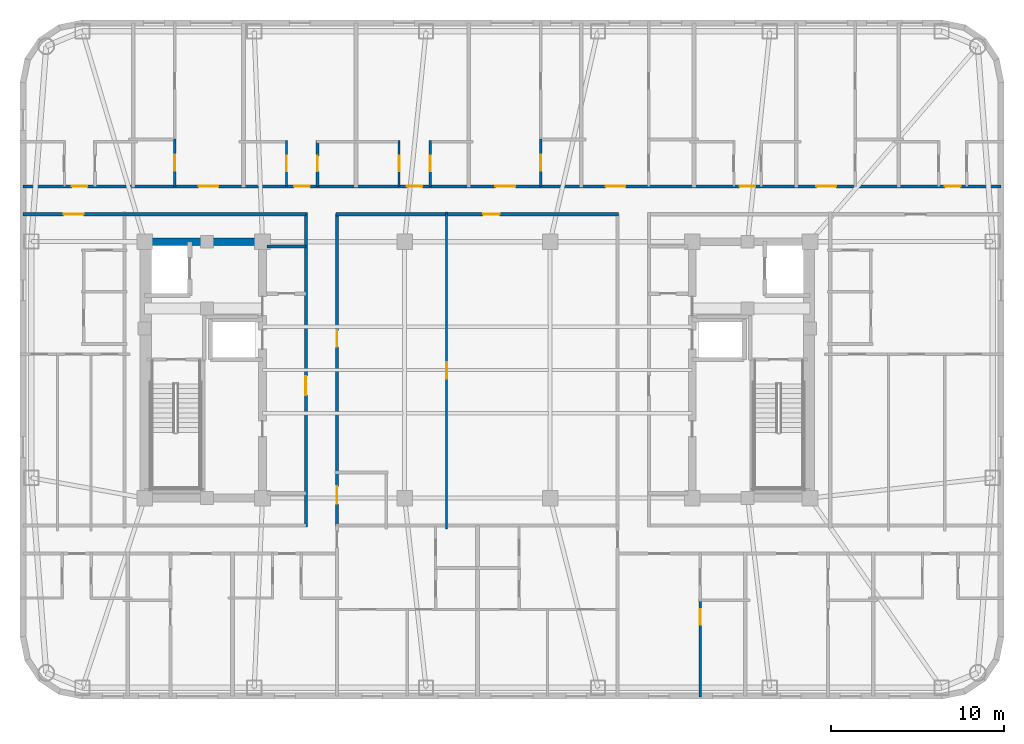
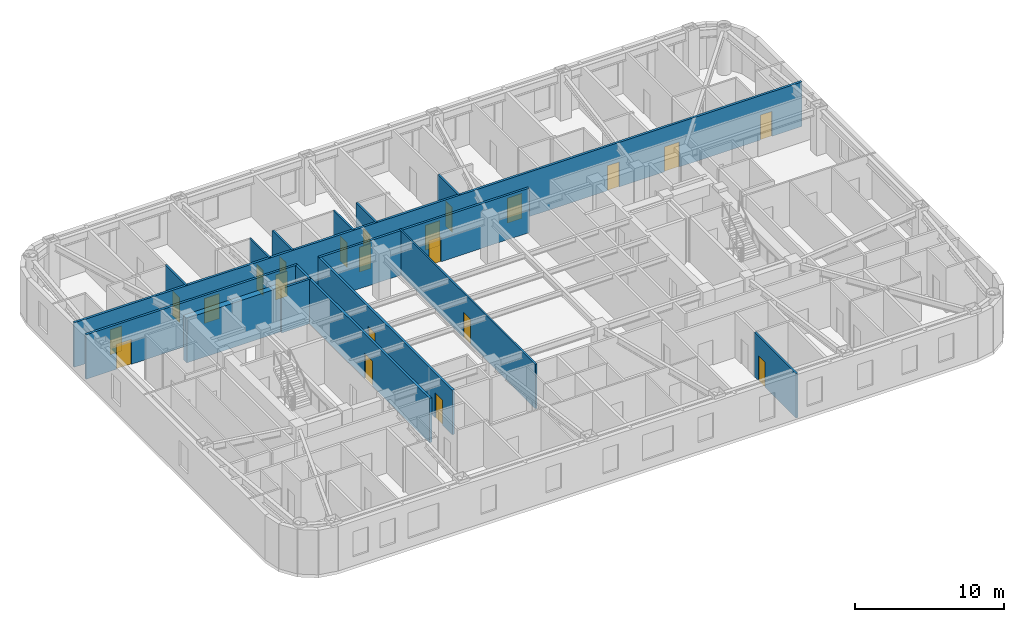
# One storey, part 5 of 11: 22 doors, 15 walls, 22 openings.
"""IFC4 building model written with IfcOpenShell, lengths in metres."""

from ifc_helpers import new_model, si_unit, direction, frame, frame_2d, origin, place, context, subcontext, project, spatial, rectangle, extrude, material, layer, layer_set, type_object, element, fill, save


model = new_model("IFC4")

# Units and contexts
model_context = context("Model", 3, precision=1e-05, world=origin(), true_north=direction((0.0, 1.0)))
body_context = subcontext(model_context, "Body", "Model", "MODEL_VIEW")
ifc_project = project(units=[si_unit("LENGTHUNIT", "METRE"), si_unit("AREAUNIT", "SQUARE_METRE"), si_unit("VOLUMEUNIT", "CUBIC_METRE"), si_unit("PLANEANGLEUNIT", "RADIAN"), si_unit("MASSUNIT", "GRAM", prefix="KILO")], contexts=[model_context])

# Site, building, storey
site_placement = place(None, origin())
site = spatial("IfcSite", under=ifc_project, at=site_placement, CompositionType="ELEMENT")
building_placement = place(site_placement, origin())
building = spatial("IfcBuilding", under=site, at=building_placement, Name="Voryun Gate Residences", CompositionType="ELEMENT")
storey_placement = place(building_placement, frame((0.0, 0.0, 247.0)))
storey = spatial("IfcBuildingStorey", under=building, at=storey_placement, Name="L61", CompositionType="ELEMENT", Elevation=247.0)

# Walls
ifc_material_1 = material(Name="Concrete C50/60", Category="concrete")
ifc_layer_1 = layer(ifc_material_1, 0.449951171875, Name="CW_CORE_450")
ifc_layer_set_1 = layer_set([ifc_layer_1], Name="Concrete C50/60")
wall_type_1 = type_object("IfcWallType", Name="CW_CORE_450", PredefinedType="SHEAR", material=ifc_layer_set_1)
wall_1_placement = place(storey_placement, frame((-19.425048828125, 7.39990234375, 0.0), z_axis=(0.0, 0.0, 1.0), x_axis=(1.0, 0.0, 0.0)))
element("IfcWall", 1, at=wall_1_placement, inside=storey, type_object=wall_type_1, Name="L61 Core shear wall CW-L61-WN", PredefinedType="SHEAR", context=body_context, shape_type="SweptSolid", body=[
    extrude(rectangle(XDim=7.25, YDim=0.449951171875, at=frame_2d((3.625, 0.0))), origin(), (0.0, 0.0, 1.0), 3.64990234375),
])
ifc_material_2 = material(Name="Gypsum acoustic fireboard")
ifc_layer_2 = layer(ifc_material_2, 0.179931640625, Name="W_CORR_RATED_180")
ifc_layer_set_2 = layer_set([ifc_layer_2], Name="Gypsum acoustic fireboard")
wall_type_2 = type_object("IfcWallType", Name="W_CORR_RATED_180", PredefinedType="PARTITIONING", material=ifc_layer_set_2)
wall_2_placement = place(storey_placement, frame((-12.14990234375, 7.1201171875, 0.0), z_axis=(0.0, 0.0, 1.0), x_axis=(1.0, 0.0, 0.0)))
element("IfcWall", 2, at=wall_2_placement, inside=storey, type_object=wall_type_2, Name="Partition wall WP-L61-PLBN-W", PredefinedType="PARTITIONING", context=body_context, shape_type="SweptSolid", body=[
    extrude(rectangle(XDim=2.27001953125, YDim=0.179931640625, at=frame_2d((1.135009765625, 0.0))), origin(), (0.0, 0.0, 1.0), 3.64990234375),
])

# Wall, opening, door
wall_3_placement = place(storey_placement, frame((-9.89990234375, -9.080078125, 0.0), z_axis=(0.0, 0.0, 1.0), x_axis=(0.0, 1.0, 0.0)))
wall_3 = element("IfcWall", 3, at=wall_3_placement, inside=storey, type_object=wall_type_2, Name="Partition wall WP-L61-PLBW-FULL", PredefinedType="PARTITIONING", context=body_context, shape_type="SweptSolid", body=[
    extrude(rectangle(XDim=18.16015625, YDim=0.179931640625, at=frame_2d((9.080078125, 0.0))), origin(), (0.0, 0.0, 1.0), 3.64990234375),
])
opening_1_placement = place(wall_3_placement, frame((7.6220703125, 0.0, 0.0)))
opening_1 = element("IfcOpeningElement", 4, at=opening_1_placement, cuts=wall_3, Name="Opening D-FD60-2", PredefinedType="OPENING", context=body_context, shape_type="SweptSolid", body=[
    extrude(rectangle(XDim=1.10009765625, YDim=2.050048828125, at=frame_2d((0.550048828125, 1.02490234375))), frame((0.0, 0.099853515625, 0.0), z_axis=(0.0, -1.0, 0.0), x_axis=(1.0, 0.0, 0.0)), (0.0, 0.0, 1.0), 0.199951171875),
])
ifc_material_3 = material(Name="Painted steel fire door", Category="steel")
door_type_1 = type_object("IfcDoorType", Name="DR_FD60_FFLOB_1100", OperationType="NOTDEFINED", PredefinedType="DOOR", material=ifc_material_3)
door_1_placement = place(opening_1_placement, origin())
door_1 = element("IfcDoor", 5, at=door_1_placement, inside=storey, type_object=door_type_1, Name="Door DR-L61-PLBW-COR", OperationType="SINGLE_SWING_LEFT", OverallHeight=2.050048828125, OverallWidth=1.10009765625, PredefinedType="DOOR", context=body_context, shape_type="SweptSolid", body=[
    extrude(rectangle(XDim=1.10009765625, YDim=2.050048828125, at=frame_2d((0.550048828125, 1.02490234375))), frame((0.0, 0.02490234375, 0.0), z_axis=(0.0, -1.0, 0.0), x_axis=(1.0, 0.0, 0.0)), (0.0, 0.0, 1.0), 0.050048828125),
])
fill(opening_1, door_1)

wall_4_placement = place(storey_placement, frame((-26.22998046875, 8.989990234375, 0.0), z_axis=(0.0, 0.0, 1.0), x_axis=(1.0, 0.0, 0.0)))
wall_4 = element("IfcWall", 6, at=wall_4_placement, inside=storey, type_object=wall_type_2, Name="Partition wall WP-L61-CWING-WN", PredefinedType="PARTITIONING", context=body_context, shape_type="SweptSolid", body=[
    extrude(rectangle(XDim=16.35009765625, YDim=0.179931640625, at=frame_2d((8.175048828125, 0.0))), origin(), (0.0, 0.0, 1.0), 3.64990234375),
])
opening_2_placement = place(wall_4_placement, frame((2.35009765625, 0.0, 0.0)))
opening_2 = element("IfcOpeningElement", 7, at=opening_2_placement, cuts=wall_4, Name="Opening D-UNIT-1", PredefinedType="OPENING", context=body_context, shape_type="SweptSolid", body=[
    extrude(rectangle(XDim=1.14990234375, YDim=2.050048828125, at=frame_2d((0.574951171875, 1.02490234375))), frame((0.0, 0.099853515625, 0.0), z_axis=(0.0, -1.0, 0.0), x_axis=(1.0, 0.0, 0.0)), (0.0, 0.0, 1.0), 0.199951171875),
])
ifc_material_4 = material(Name="Armoured timber-clad fire door", Category="wood")
door_type_2 = type_object("IfcDoorType", Name="DR_UNIT_ENTRY_1150", OperationType="NOTDEFINED", PredefinedType="DOOR", material=ifc_material_4)
door_2_placement = place(opening_2_placement, origin())
door_2 = element("IfcDoor", 8, at=door_2_placement, inside=storey, type_object=door_type_2, Name="Door DR-L61-WE1N", OperationType="SINGLE_SWING_LEFT", OverallHeight=2.050048828125, OverallWidth=1.14990234375, PredefinedType="DOOR", context=body_context, shape_type="SweptSolid", body=[
    extrude(rectangle(XDim=1.14990234375, YDim=2.050048828125, at=frame_2d((0.574951171875, 1.02490234375))), frame((0.0, 0.02490234375, 0.0), z_axis=(0.0, -1.0, 0.0), x_axis=(1.0, 0.0, 0.0)), (0.0, 0.0, 1.0), 0.050048828125),
])
fill(opening_2, door_2)

wall_5_placement = place(storey_placement, frame((-8.14990234375, 8.989990234375, 0.0), z_axis=(0.0, 0.0, 1.0), x_axis=(1.0, 0.0, 0.0)))
wall_5 = element("IfcWall", 9, at=wall_5_placement, inside=storey, type_object=wall_type_2, Name="Partition wall WP-L61-Z3N", PredefinedType="PARTITIONING", context=body_context, shape_type="SweptSolid", body=[
    extrude(rectangle(XDim=16.2998046875, YDim=0.179931640625, at=frame_2d((8.14990234375, 0.0))), origin(), (0.0, 0.0, 1.0), 3.64990234375),
])
opening_3_placement = place(wall_5_placement, frame((8.489990234375, 0.0, 0.0)))
opening_3 = element("IfcOpeningElement", 10, at=opening_3_placement, cuts=wall_5, Name="Opening D-INT-1", PredefinedType="OPENING", context=body_context, shape_type="SweptSolid", body=[
    extrude(rectangle(XDim=0.949951171875, YDim=2.050048828125, at=frame_2d((0.47509765625, 1.02490234375))), frame((0.0, 0.099853515625, 0.0), z_axis=(0.0, -1.0, 0.0), x_axis=(1.0, 0.0, 0.0)), (0.0, 0.0, 1.0), 0.199951171875),
])
ifc_material_5 = material(Name="Architectural oak veneer")
door_type_3 = type_object("IfcDoorType", Name="DR_INT_ROOM_950", OperationType="NOTDEFINED", PredefinedType="DOOR", material=ifc_material_5)
door_3_placement = place(opening_3_placement, origin())
door_3 = element("IfcDoor", 11, at=door_3_placement, inside=storey, type_object=door_type_3, Name="Door DR-L61-CMIDZ3N", OperationType="SINGLE_SWING_LEFT", OverallHeight=2.050048828125, OverallWidth=0.949951171875, PredefinedType="DOOR", context=body_context, shape_type="SweptSolid", body=[
    extrude(rectangle(XDim=0.949951171875, YDim=2.050048828125, at=frame_2d((0.47509765625, 1.02490234375))), frame((0.0, 0.02490234375, 0.0), z_axis=(0.0, -1.0, 0.0), x_axis=(1.0, 0.0, 0.0)), (0.0, 0.0, 1.0), 0.050048828125),
])
fill(opening_3, door_3)

# Wall, openings, doors
wall_6_placement = place(storey_placement, frame((-8.10009765625, -9.030029296875, 0.0), z_axis=(0.0, 0.0, 1.0), x_axis=(0.0, 1.0, 0.0)))
wall_6 = element("IfcWall", 12, at=wall_6_placement, inside=storey, type_object=wall_type_2, Name="Partition wall WP-L61-Z3W", PredefinedType="PARTITIONING", context=body_context, shape_type="SweptSolid", body=[
    extrude(rectangle(XDim=18.06005859375, YDim=0.179931640625, at=frame_2d((9.030029296875, 0.0))), origin(), (0.0, 0.0, 1.0), 3.64990234375),
])
opening_4_placement = place(wall_6_placement, frame((1.305908203125, 0.0, 0.0)))
opening_4 = element("IfcOpeningElement", 13, at=opening_4_placement, cuts=wall_6, Name="Opening D-AWC-1", PredefinedType="OPENING", context=body_context, shape_type="SweptSolid", body=[
    extrude(rectangle(XDim=1.0, YDim=2.050048828125, at=frame_2d((0.5, 1.02490234375))), frame((0.0, 0.099853515625, 0.0), z_axis=(0.0, -1.0, 0.0), x_axis=(1.0, 0.0, 0.0)), (0.0, 0.0, 1.0), 0.199951171875),
])
opening_5_placement = place(wall_6_placement, frame((10.361083984375, 0.0, 0.0)))
opening_5 = element("IfcOpeningElement", 14, at=opening_5_placement, cuts=wall_6, Name="Opening D-INT-1", PredefinedType="OPENING", context=body_context, shape_type="SweptSolid", body=[
    extrude(rectangle(XDim=0.949951171875, YDim=2.050048828125, at=frame_2d((0.47509765625, 1.02490234375))), frame((0.0, 0.099853515625, 0.0), z_axis=(0.0, -1.0, 0.0), x_axis=(1.0, 0.0, 0.0)), (0.0, 0.0, 1.0), 0.199951171875),
])
ifc_material_6 = material(Name="Architectural oak veneer")
door_type_4 = type_object("IfcDoorType", Name="DR_ACC_WC_1000", OperationType="NOTDEFINED", PredefinedType="DOOR", material=ifc_material_6)
door_4_placement = place(opening_4_placement, origin())
door_4 = element("IfcDoor", 15, at=door_4_placement, inside=storey, type_object=door_type_4, Name="Door DR-L61-CMWC-D", OperationType="SINGLE_SWING_LEFT", OverallHeight=2.050048828125, OverallWidth=1.0, PredefinedType="DOOR", context=body_context, shape_type="SweptSolid", body=[
    extrude(rectangle(XDim=1.0, YDim=2.050048828125, at=frame_2d((0.5, 1.02490234375))), frame((0.0, 0.02490234375, 0.0), z_axis=(0.0, -1.0, 0.0), x_axis=(1.0, 0.0, 0.0)), (0.0, 0.0, 1.0), 0.050048828125),
])
fill(opening_4, door_4)
door_5_placement = place(opening_5_placement, origin())
door_5 = element("IfcDoor", 16, at=door_5_placement, inside=storey, type_object=door_type_3, Name="Door DR-L61-CMIDZ3W", OperationType="SINGLE_SWING_RIGHT", OverallHeight=2.050048828125, OverallWidth=0.949951171875, PredefinedType="DOOR", context=body_context, shape_type="SweptSolid", body=[
    extrude(rectangle(XDim=0.949951171875, YDim=2.050048828125, at=frame_2d((0.47509765625, 1.02490234375))), frame((0.0, 0.02490234375, 0.0), z_axis=(0.0, -1.0, 0.0), x_axis=(1.0, 0.0, 0.0)), (0.0, 0.0, 1.0), 0.050048828125),
])
fill(opening_5, door_5)

wall_7_placement = place(storey_placement, frame((-26.22998046875, 10.60009765625, 0.0), z_axis=(0.0, 0.0, 1.0), x_axis=(1.0, 0.0, 0.0)))
wall_7 = element("IfcWall", 17, at=wall_7_placement, inside=storey, type_object=wall_type_2, Name="Partition wall WP-L61-NCORR", PredefinedType="PARTITIONING", context=body_context, shape_type="SweptSolid", body=[
    extrude(rectangle(XDim=56.4599609375, YDim=0.179931640625, at=frame_2d((28.22998046875, 0.0))), origin(), (0.0, 0.0, 1.0), 3.64990234375),
])
opening_6_placement = place(wall_7_placement, frame((2.82470703125, 0.0, 0.0)))
opening_6 = element("IfcOpeningElement", 18, at=opening_6_placement, cuts=wall_7, Name="Opening D-INT-2", PredefinedType="OPENING", context=body_context, shape_type="SweptSolid", body=[
    extrude(rectangle(XDim=0.89990234375, YDim=2.050048828125, at=frame_2d((0.449951171875, 1.02490234375))), frame((0.0, 0.099853515625, 0.0), z_axis=(0.0, -1.0, 0.0), x_axis=(1.0, 0.0, 0.0)), (0.0, 0.0, 1.0), 0.199951171875),
])
opening_7_placement = place(wall_7_placement, frame((10.135498046875, 0.0, 0.0)))
opening_7 = element("IfcOpeningElement", 19, at=opening_7_placement, cuts=wall_7, Name="Opening D-UNIT-1", PredefinedType="OPENING", context=body_context, shape_type="SweptSolid", body=[
    extrude(rectangle(XDim=1.14990234375, YDim=2.050048828125, at=frame_2d((0.574951171875, 1.02490234375))), frame((0.0, 0.099853515625, 0.0), z_axis=(0.0, -1.0, 0.0), x_axis=(1.0, 0.0, 0.0)), (0.0, 0.0, 1.0), 0.199951171875),
])
opening_8_placement = place(wall_7_placement, frame((15.657958984375, 0.0, 0.0)))
opening_8 = element("IfcOpeningElement", 20, at=opening_8_placement, cuts=wall_7, Name="Opening D-INT-2", PredefinedType="OPENING", context=body_context, shape_type="SweptSolid", body=[
    extrude(rectangle(XDim=0.89990234375, YDim=2.050048828125, at=frame_2d((0.449951171875, 1.02490234375))), frame((0.0, 0.099853515625, 0.0), z_axis=(0.0, -1.0, 0.0), x_axis=(1.0, 0.0, 0.0)), (0.0, 0.0, 1.0), 0.199951171875),
])
opening_9_placement = place(wall_7_placement, frame((22.156494140625, 0.0, 0.0)))
opening_9 = element("IfcOpeningElement", 21, at=opening_9_placement, cuts=wall_7, Name="Opening D-INT-2", PredefinedType="OPENING", context=body_context, shape_type="SweptSolid", body=[
    extrude(rectangle(XDim=0.89990234375, YDim=2.050048828125, at=frame_2d((0.449951171875, 1.02490234375))), frame((0.0, 0.099853515625, 0.0), z_axis=(0.0, -1.0, 0.0), x_axis=(1.0, 0.0, 0.0)), (0.0, 0.0, 1.0), 0.199951171875),
])
opening_10_placement = place(wall_7_placement, frame((27.27099609375, 0.0, 0.0)))
opening_10 = element("IfcOpeningElement", 22, at=opening_10_placement, cuts=wall_7, Name="Opening D-UNIT-1", PredefinedType="OPENING", context=body_context, shape_type="SweptSolid", body=[
    extrude(rectangle(XDim=1.14990234375, YDim=2.050048828125, at=frame_2d((0.574951171875, 1.02490234375))), frame((0.0, 0.099853515625, 0.0), z_axis=(0.0, -1.0, 0.0), x_axis=(1.0, 0.0, 0.0)), (0.0, 0.0, 1.0), 0.199951171875),
])
opening_11_placement = place(wall_7_placement, frame((33.62841796875, 0.0, 0.0)))
opening_11 = element("IfcOpeningElement", 23, at=opening_11_placement, cuts=wall_7, Name="Opening D-UNIT-1", PredefinedType="OPENING", context=body_context, shape_type="SweptSolid", body=[
    extrude(rectangle(XDim=1.14990234375, YDim=2.050048828125, at=frame_2d((0.574951171875, 1.02490234375))), frame((0.0, 0.099853515625, 0.0), z_axis=(0.0, -1.0, 0.0), x_axis=(1.0, 0.0, 0.0)), (0.0, 0.0, 1.0), 0.199951171875),
])
opening_12_placement = place(wall_7_placement, frame((41.37548828125, 0.0, 0.0)))
opening_12 = element("IfcOpeningElement", 24, at=opening_12_placement, cuts=wall_7, Name="Opening D-INT-2", PredefinedType="OPENING", context=body_context, shape_type="SweptSolid", body=[
    extrude(rectangle(XDim=0.89990234375, YDim=2.050048828125, at=frame_2d((0.449951171875, 1.02490234375))), frame((0.0, 0.099853515625, 0.0), z_axis=(0.0, -1.0, 0.0), x_axis=(1.0, 0.0, 0.0)), (0.0, 0.0, 1.0), 0.199951171875),
])
opening_13_placement = place(wall_7_placement, frame((45.795654296875, 0.0, 0.0)))
opening_13 = element("IfcOpeningElement", 25, at=opening_13_placement, cuts=wall_7, Name="Opening D-UNIT-1", PredefinedType="OPENING", context=body_context, shape_type="SweptSolid", body=[
    extrude(rectangle(XDim=1.14990234375, YDim=2.050048828125, at=frame_2d((0.574951171875, 1.02490234375))), frame((0.0, 0.099853515625, 0.0), z_axis=(0.0, -1.0, 0.0), x_axis=(1.0, 0.0, 0.0)), (0.0, 0.0, 1.0), 0.199951171875),
])
opening_14_placement = place(wall_7_placement, frame((53.220947265625, 0.0, 0.0)))
opening_14 = element("IfcOpeningElement", 26, at=opening_14_placement, cuts=wall_7, Name="Opening D-INT-2", PredefinedType="OPENING", context=body_context, shape_type="SweptSolid", body=[
    extrude(rectangle(XDim=0.89990234375, YDim=2.050048828125, at=frame_2d((0.449951171875, 1.02490234375))), frame((0.0, 0.099853515625, 0.0), z_axis=(0.0, -1.0, 0.0), x_axis=(1.0, 0.0, 0.0)), (0.0, 0.0, 1.0), 0.199951171875),
])
ifc_material_7 = material(Name="Architectural oak veneer")
door_type_5 = type_object("IfcDoorType", Name="DR_INT_BATH_900", OperationType="NOTDEFINED", PredefinedType="DOOR", material=ifc_material_7)
door_6_placement = place(opening_6_placement, origin())
door_6 = element("IfcDoor", 27, at=door_6_placement, inside=storey, type_object=door_type_5, Name="Door DR-L61-NENT-1", OperationType="SINGLE_SWING_LEFT", OverallHeight=2.050048828125, OverallWidth=0.89990234375, PredefinedType="DOOR", context=body_context, shape_type="SweptSolid", body=[
    extrude(rectangle(XDim=0.89990234375, YDim=2.050048828125, at=frame_2d((0.449951171875, 1.02490234375))), frame((0.0, 0.02490234375, 0.0), z_axis=(0.0, -1.0, 0.0), x_axis=(1.0, 0.0, 0.0)), (0.0, 0.0, 1.0), 0.050048828125),
])
fill(opening_6, door_6)
door_7_placement = place(opening_8_placement, origin())
door_7 = element("IfcDoor", 28, at=door_7_placement, inside=storey, type_object=door_type_5, Name="Door DR-L61-NENT-3", OperationType="SINGLE_SWING_LEFT", OverallHeight=2.050048828125, OverallWidth=0.89990234375, PredefinedType="DOOR", context=body_context, shape_type="SweptSolid", body=[
    extrude(rectangle(XDim=0.89990234375, YDim=2.050048828125, at=frame_2d((0.449951171875, 1.02490234375))), frame((0.0, 0.02490234375, 0.0), z_axis=(0.0, -1.0, 0.0), x_axis=(1.0, 0.0, 0.0)), (0.0, 0.0, 1.0), 0.050048828125),
])
fill(opening_8, door_7)
door_8_placement = place(opening_9_placement, origin())
door_8 = element("IfcDoor", 29, at=door_8_placement, inside=storey, type_object=door_type_5, Name="Door DR-L61-NENT-4", OperationType="SINGLE_SWING_RIGHT", OverallHeight=2.050048828125, OverallWidth=0.89990234375, PredefinedType="DOOR", context=body_context, shape_type="SweptSolid", body=[
    extrude(rectangle(XDim=0.89990234375, YDim=2.050048828125, at=frame_2d((0.449951171875, 1.02490234375))), frame((0.0, 0.02490234375, 0.0), z_axis=(0.0, -1.0, 0.0), x_axis=(1.0, 0.0, 0.0)), (0.0, 0.0, 1.0), 0.050048828125),
])
fill(opening_9, door_8)
door_9_placement = place(opening_12_placement, origin())
door_9 = element("IfcDoor", 30, at=door_9_placement, inside=storey, type_object=door_type_5, Name="Door DR-L61-NENT-7", OperationType="SINGLE_SWING_LEFT", OverallHeight=2.050048828125, OverallWidth=0.89990234375, PredefinedType="DOOR", context=body_context, shape_type="SweptSolid", body=[
    extrude(rectangle(XDim=0.89990234375, YDim=2.050048828125, at=frame_2d((0.449951171875, 1.02490234375))), frame((0.0, 0.02490234375, 0.0), z_axis=(0.0, -1.0, 0.0), x_axis=(1.0, 0.0, 0.0)), (0.0, 0.0, 1.0), 0.050048828125),
])
fill(opening_12, door_9)
door_10_placement = place(opening_14_placement, origin())
door_10 = element("IfcDoor", 31, at=door_10_placement, inside=storey, type_object=door_type_5, Name="Door DR-L61-NENT-9", OperationType="SINGLE_SWING_LEFT", OverallHeight=2.050048828125, OverallWidth=0.89990234375, PredefinedType="DOOR", context=body_context, shape_type="SweptSolid", body=[
    extrude(rectangle(XDim=0.89990234375, YDim=2.050048828125, at=frame_2d((0.449951171875, 1.02490234375))), frame((0.0, 0.02490234375, 0.0), z_axis=(0.0, -1.0, 0.0), x_axis=(1.0, 0.0, 0.0)), (0.0, 0.0, 1.0), 0.050048828125),
])
fill(opening_14, door_10)
door_11_placement = place(opening_7_placement, origin())
door_11 = element("IfcDoor", 32, at=door_11_placement, inside=storey, type_object=door_type_2, Name="Door DR-L61-NENT-2", OperationType="SINGLE_SWING_RIGHT", OverallHeight=2.050048828125, OverallWidth=1.14990234375, PredefinedType="DOOR", context=body_context, shape_type="SweptSolid", body=[
    extrude(rectangle(XDim=1.14990234375, YDim=2.050048828125, at=frame_2d((0.574951171875, 1.02490234375))), frame((0.0, 0.02490234375, 0.0), z_axis=(0.0, -1.0, 0.0), x_axis=(1.0, 0.0, 0.0)), (0.0, 0.0, 1.0), 0.050048828125),
])
fill(opening_7, door_11)
door_12_placement = place(opening_10_placement, origin())
door_12 = element("IfcDoor", 33, at=door_12_placement, inside=storey, type_object=door_type_2, Name="Door DR-L61-NENT-5", OperationType="SINGLE_SWING_LEFT", OverallHeight=2.050048828125, OverallWidth=1.14990234375, PredefinedType="DOOR", context=body_context, shape_type="SweptSolid", body=[
    extrude(rectangle(XDim=1.14990234375, YDim=2.050048828125, at=frame_2d((0.574951171875, 1.02490234375))), frame((0.0, 0.02490234375, 0.0), z_axis=(0.0, -1.0, 0.0), x_axis=(1.0, 0.0, 0.0)), (0.0, 0.0, 1.0), 0.050048828125),
])
fill(opening_10, door_12)
door_13_placement = place(opening_11_placement, origin())
door_13 = element("IfcDoor", 34, at=door_13_placement, inside=storey, type_object=door_type_2, Name="Door DR-L61-NENT-6", OperationType="SINGLE_SWING_RIGHT", OverallHeight=2.050048828125, OverallWidth=1.14990234375, PredefinedType="DOOR", context=body_context, shape_type="SweptSolid", body=[
    extrude(rectangle(XDim=1.14990234375, YDim=2.050048828125, at=frame_2d((0.574951171875, 1.02490234375))), frame((0.0, 0.02490234375, 0.0), z_axis=(0.0, -1.0, 0.0), x_axis=(1.0, 0.0, 0.0)), (0.0, 0.0, 1.0), 0.050048828125),
])
fill(opening_11, door_13)
door_14_placement = place(opening_13_placement, origin())
door_14 = element("IfcDoor", 35, at=door_14_placement, inside=storey, type_object=door_type_2, Name="Door DR-L61-NENT-8", OperationType="SINGLE_SWING_RIGHT", OverallHeight=2.050048828125, OverallWidth=1.14990234375, PredefinedType="DOOR", context=body_context, shape_type="SweptSolid", body=[
    extrude(rectangle(XDim=1.14990234375, YDim=2.050048828125, at=frame_2d((0.574951171875, 1.02490234375))), frame((0.0, 0.02490234375, 0.0), z_axis=(0.0, -1.0, 0.0), x_axis=(1.0, 0.0, 0.0)), (0.0, 0.0, 1.0), 0.050048828125),
])
fill(opening_13, door_14)

# Wall, opening, door
ifc_material_8 = material(Name="Gypsum acoustic partition")
ifc_layer_3 = layer(ifc_material_8, 0.125, Name="W_UNIT_PART_125")
ifc_layer_set_3 = layer_set([ifc_layer_3], Name="Gypsum acoustic partition")
wall_type_3 = type_object("IfcWallType", Name="W_UNIT_PART_125", PredefinedType="PARTITIONING", material=ifc_layer_set_3)
wall_8_placement = place(storey_placement, frame((-1.77294921875, -9.169921875, 0.0), z_axis=(0.0, 0.0, 1.0), x_axis=(0.0, 1.0, 0.0)))
wall_8 = element("IfcWall", 36, at=wall_8_placement, inside=storey, type_object=wall_type_3, Name="Partition wall WP-L61-MIDX-0", PredefinedType="PARTITIONING", context=body_context, shape_type="SweptSolid", body=[
    extrude(rectangle(XDim=18.2900390625, YDim=0.125, at=frame_2d((9.14501953125, 0.0))), origin(), (0.0, 0.0, 1.0), 3.64990234375),
])
opening_15_placement = place(wall_8_placement, frame((8.669921875, 0.0, 0.0)))
opening_15 = element("IfcOpeningElement", 37, at=opening_15_placement, cuts=wall_8, Name="Opening D-INT-1", PredefinedType="OPENING", context=body_context, shape_type="SweptSolid", body=[
    extrude(rectangle(XDim=0.949951171875, YDim=2.050048828125, at=frame_2d((0.47509765625, 1.02490234375))), frame((0.0, 0.072509765625, 0.0), z_axis=(0.0, -1.0, 0.0), x_axis=(1.0, 0.0, 0.0)), (0.0, 0.0, 1.0), 0.14501953125),
])
door_15_placement = place(opening_15_placement, origin())
door_15 = element("IfcDoor", 38, at=door_15_placement, inside=storey, type_object=door_type_3, Name="Door DR-L61-MIDX-0", OperationType="SINGLE_SWING_LEFT", OverallHeight=2.050048828125, OverallWidth=0.949951171875, PredefinedType="DOOR", context=body_context, shape_type="SweptSolid", body=[
    extrude(rectangle(XDim=0.949951171875, YDim=2.050048828125, at=frame_2d((0.47509765625, 1.02490234375))), frame((0.0, 0.02490234375, 0.0), z_axis=(0.0, -1.0, 0.0), x_axis=(1.0, 0.0, 0.0)), (0.0, 0.0, 1.0), 0.050048828125),
])
fill(opening_15, door_15)

wall_9_placement = place(storey_placement, frame((-11.01611328125, 10.580078125, 0.0), z_axis=(0.0, 0.0, 1.0), x_axis=(0.0, 1.0, 0.0)))
wall_9 = element("IfcWall", 39, at=wall_9_placement, inside=storey, type_object=wall_type_3, Name="Partition wall WP-L61-N3-CVK", PredefinedType="PARTITIONING", context=body_context, shape_type="SweptSolid", body=[
    extrude(rectangle(XDim=2.64990234375, YDim=0.125, at=frame_2d((1.324951171875, 0.0))), origin(), (0.0, 0.0, 1.0), 3.64990234375),
])
opening_16_placement = place(wall_9_placement, frame((0.875, 0.0, 0.0)))
opening_16 = element("IfcOpeningElement", 40, at=opening_16_placement, cuts=wall_9, Name="Opening D-INT-2", PredefinedType="OPENING", context=body_context, shape_type="SweptSolid", body=[
    extrude(rectangle(XDim=0.89990234375, YDim=2.050048828125, at=frame_2d((0.449951171875, 1.02490234375))), frame((0.0, 0.072509765625, 0.0), z_axis=(0.0, -1.0, 0.0), x_axis=(1.0, 0.0, 0.0)), (0.0, 0.0, 1.0), 0.14501953125),
])
door_16_placement = place(opening_16_placement, origin())
door_16 = element("IfcDoor", 41, at=door_16_placement, inside=storey, type_object=door_type_5, Name="Door DR-L61-N3-DK", OperationType="SINGLE_SWING_LEFT", OverallHeight=2.050048828125, OverallWidth=0.89990234375, PredefinedType="DOOR", context=body_context, shape_type="SweptSolid", body=[
    extrude(rectangle(XDim=0.89990234375, YDim=2.050048828125, at=frame_2d((0.449951171875, 1.02490234375))), frame((0.0, 0.02490234375, 0.0), z_axis=(0.0, -1.0, 0.0), x_axis=(1.0, 0.0, 0.0)), (0.0, 0.0, 1.0), 0.050048828125),
])
fill(opening_16, door_16)

wall_10_placement = place(storey_placement, frame((-4.51611328125, 10.580078125, 0.0), z_axis=(0.0, 0.0, 1.0), x_axis=(0.0, 1.0, 0.0)))
wall_10 = element("IfcWall", 42, at=wall_10_placement, inside=storey, type_object=wall_type_3, Name="Partition wall WP-L61-N4-CVK", PredefinedType="PARTITIONING", context=body_context, shape_type="SweptSolid", body=[
    extrude(rectangle(XDim=2.64990234375, YDim=0.125, at=frame_2d((1.324951171875, 0.0))), origin(), (0.0, 0.0, 1.0), 3.64990234375),
])
opening_17_placement = place(wall_10_placement, frame((0.875, 0.0, 0.0)))
opening_17 = element("IfcOpeningElement", 43, at=opening_17_placement, cuts=wall_10, Name="Opening D-INT-2", PredefinedType="OPENING", context=body_context, shape_type="SweptSolid", body=[
    extrude(rectangle(XDim=0.89990234375, YDim=2.050048828125, at=frame_2d((0.449951171875, 1.02490234375))), frame((0.0, 0.072509765625, 0.0), z_axis=(0.0, -1.0, 0.0), x_axis=(1.0, 0.0, 0.0)), (0.0, 0.0, 1.0), 0.14501953125),
])
door_17_placement = place(opening_17_placement, origin())
door_17 = element("IfcDoor", 44, at=door_17_placement, inside=storey, type_object=door_type_5, Name="Door DR-L61-N4-DK", OperationType="SINGLE_SWING_LEFT", OverallHeight=2.050048828125, OverallWidth=0.89990234375, PredefinedType="DOOR", context=body_context, shape_type="SweptSolid", body=[
    extrude(rectangle(XDim=0.89990234375, YDim=2.050048828125, at=frame_2d((0.449951171875, 1.02490234375))), frame((0.0, 0.02490234375, 0.0), z_axis=(0.0, -1.0, 0.0), x_axis=(1.0, 0.0, 0.0)), (0.0, 0.0, 1.0), 0.050048828125),
])
fill(opening_17, door_17)

ifc_material_9 = material(Name="Gypsum moisture-resistant partition")
ifc_layer_4 = layer(ifc_material_9, 0.14990234375, Name="W_WET_PLUMB_150")
ifc_layer_set_4 = layer_set([ifc_layer_4], Name="Gypsum moisture-resistant partition")
wall_type_4 = type_object("IfcWallType", Name="W_WET_PLUMB_150", PredefinedType="PLUMBINGWALL", material=ifc_layer_set_4)
wall_11_placement = place(storey_placement, frame((-17.47705078125, 10.580078125, 0.0), z_axis=(0.0, 0.0, 1.0), x_axis=(0.0, 1.0, 0.0)))
wall_11 = element("IfcWall", 45, at=wall_11_placement, inside=storey, type_object=wall_type_4, Name="Partition wall WP-L61-N2-SVT1", PredefinedType="PLUMBINGWALL", context=body_context, shape_type="SweptSolid", body=[
    extrude(rectangle(XDim=2.760009765625, YDim=0.14990234375, at=frame_2d((1.3798828125, 0.0))), origin(), (0.0, 0.0, 1.0), 3.64990234375),
])
opening_18_placement = place(wall_11_placement, frame((0.929931640625, 0.0, 0.0)))
opening_18 = element("IfcOpeningElement", 46, at=opening_18_placement, cuts=wall_11, Name="Opening D-INT-2", PredefinedType="OPENING", context=body_context, shape_type="SweptSolid", body=[
    extrude(rectangle(XDim=0.89990234375, YDim=2.050048828125, at=frame_2d((0.449951171875, 1.02490234375))), frame((0.0, 0.0849609375, 0.0), z_axis=(0.0, -1.0, 0.0), x_axis=(1.0, 0.0, 0.0)), (0.0, 0.0, 1.0), 0.169921875),
])
door_18_placement = place(opening_18_placement, origin())
door_18 = element("IfcDoor", 47, at=door_18_placement, inside=storey, type_object=door_type_5, Name="Door DR-L61-N2-DB", OperationType="SINGLE_SWING_LEFT", OverallHeight=2.050048828125, OverallWidth=0.89990234375, PredefinedType="DOOR", context=body_context, shape_type="SweptSolid", body=[
    extrude(rectangle(XDim=0.89990234375, YDim=2.050048828125, at=frame_2d((0.449951171875, 1.02490234375))), frame((0.0, 0.02490234375, 0.0), z_axis=(0.0, -1.0, 0.0), x_axis=(1.0, 0.0, 0.0)), (0.0, 0.0, 1.0), 0.050048828125),
])
fill(opening_18, door_18)

wall_12_placement = place(storey_placement, frame((-9.22900390625, 10.580078125, 0.0), z_axis=(0.0, 0.0, 1.0), x_axis=(0.0, 1.0, 0.0)))
wall_12 = element("IfcWall", 48, at=wall_12_placement, inside=storey, type_object=wall_type_4, Name="Partition wall WP-L61-N3-CVB", PredefinedType="PLUMBINGWALL", context=body_context, shape_type="SweptSolid", body=[
    extrude(rectangle(XDim=2.64990234375, YDim=0.14990234375, at=frame_2d((1.324951171875, 0.0))), origin(), (0.0, 0.0, 1.0), 3.64990234375),
])
opening_19_placement = place(wall_12_placement, frame((0.875, 0.0, 0.0)))
opening_19 = element("IfcOpeningElement", 49, at=opening_19_placement, cuts=wall_12, Name="Opening D-INT-2", PredefinedType="OPENING", context=body_context, shape_type="SweptSolid", body=[
    extrude(rectangle(XDim=0.89990234375, YDim=2.050048828125, at=frame_2d((0.449951171875, 1.02490234375))), frame((0.0, 0.0849609375, 0.0), z_axis=(0.0, -1.0, 0.0), x_axis=(1.0, 0.0, 0.0)), (0.0, 0.0, 1.0), 0.169921875),
])
door_19_placement = place(opening_19_placement, origin())
door_19 = element("IfcDoor", 50, at=door_19_placement, inside=storey, type_object=door_type_5, Name="Door DR-L61-N3-DB", OperationType="SINGLE_SWING_RIGHT", OverallHeight=2.050048828125, OverallWidth=0.89990234375, PredefinedType="DOOR", context=body_context, shape_type="SweptSolid", body=[
    extrude(rectangle(XDim=0.89990234375, YDim=2.050048828125, at=frame_2d((0.449951171875, 1.02490234375))), frame((0.0, 0.02490234375, 0.0), z_axis=(0.0, -1.0, 0.0), x_axis=(1.0, 0.0, 0.0)), (0.0, 0.0, 1.0), 0.050048828125),
])
fill(opening_19, door_19)

wall_13_placement = place(storey_placement, frame((-2.72900390625, 10.580078125, 0.0), z_axis=(0.0, 0.0, 1.0), x_axis=(0.0, 1.0, 0.0)))
wall_13 = element("IfcWall", 51, at=wall_13_placement, inside=storey, type_object=wall_type_4, Name="Partition wall WP-L61-N4-CVB", PredefinedType="PLUMBINGWALL", context=body_context, shape_type="SweptSolid", body=[
    extrude(rectangle(XDim=2.64990234375, YDim=0.14990234375, at=frame_2d((1.324951171875, 0.0))), origin(), (0.0, 0.0, 1.0), 3.64990234375),
])
opening_20_placement = place(wall_13_placement, frame((0.875, 0.0, 0.0)))
opening_20 = element("IfcOpeningElement", 52, at=opening_20_placement, cuts=wall_13, Name="Opening D-INT-2", PredefinedType="OPENING", context=body_context, shape_type="SweptSolid", body=[
    extrude(rectangle(XDim=0.89990234375, YDim=2.050048828125, at=frame_2d((0.449951171875, 1.02490234375))), frame((0.0, 0.0849609375, 0.0), z_axis=(0.0, -1.0, 0.0), x_axis=(1.0, 0.0, 0.0)), (0.0, 0.0, 1.0), 0.169921875),
])
door_20_placement = place(opening_20_placement, origin())
door_20 = element("IfcDoor", 53, at=door_20_placement, inside=storey, type_object=door_type_5, Name="Door DR-L61-N4-DB", OperationType="SINGLE_SWING_RIGHT", OverallHeight=2.050048828125, OverallWidth=0.89990234375, PredefinedType="DOOR", context=body_context, shape_type="SweptSolid", body=[
    extrude(rectangle(XDim=0.89990234375, YDim=2.050048828125, at=frame_2d((0.449951171875, 1.02490234375))), frame((0.0, 0.02490234375, 0.0), z_axis=(0.0, -1.0, 0.0), x_axis=(1.0, 0.0, 0.0)), (0.0, 0.0, 1.0), 0.050048828125),
])
fill(opening_20, door_20)

wall_14_placement = place(storey_placement, frame((3.6689453125, 10.580078125, 0.0), z_axis=(0.0, 0.0, 1.0), x_axis=(0.0, 1.0, 0.0)))
wall_14 = element("IfcWall", 54, at=wall_14_placement, inside=storey, type_object=wall_type_4, Name="Partition wall WP-L61-N5-SVT1", PredefinedType="PLUMBINGWALL", context=body_context, shape_type="SweptSolid", body=[
    extrude(rectangle(XDim=2.760009765625, YDim=0.14990234375, at=frame_2d((1.3798828125, 0.0))), origin(), (0.0, 0.0, 1.0), 3.64990234375),
])
opening_21_placement = place(wall_14_placement, frame((0.929931640625, 0.0, 0.0)))
opening_21 = element("IfcOpeningElement", 55, at=opening_21_placement, cuts=wall_14, Name="Opening D-INT-2", PredefinedType="OPENING", context=body_context, shape_type="SweptSolid", body=[
    extrude(rectangle(XDim=0.89990234375, YDim=2.050048828125, at=frame_2d((0.449951171875, 1.02490234375))), frame((0.0, 0.0849609375, 0.0), z_axis=(0.0, -1.0, 0.0), x_axis=(1.0, 0.0, 0.0)), (0.0, 0.0, 1.0), 0.169921875),
])
door_21_placement = place(opening_21_placement, origin())
door_21 = element("IfcDoor", 56, at=door_21_placement, inside=storey, type_object=door_type_5, Name="Door DR-L61-N5-DB", OperationType="SINGLE_SWING_LEFT", OverallHeight=2.050048828125, OverallWidth=0.89990234375, PredefinedType="DOOR", context=body_context, shape_type="SweptSolid", body=[
    extrude(rectangle(XDim=0.89990234375, YDim=2.050048828125, at=frame_2d((0.449951171875, 1.02490234375))), frame((0.0, 0.02490234375, 0.0), z_axis=(0.0, -1.0, 0.0), x_axis=(1.0, 0.0, 0.0)), (0.0, 0.0, 1.0), 0.050048828125),
])
fill(opening_21, door_21)

wall_15_placement = place(storey_placement, frame((12.85595703125, -18.876708984375, 0.0), z_axis=(0.0, 0.0, 1.0), x_axis=(0.0, 1.0, 0.0)))
wall_15 = element("IfcWall", 57, at=wall_15_placement, inside=storey, type_object=wall_type_4, Name="Partition wall WP-L61-S5-SVT1", PredefinedType="PLUMBINGWALL", context=body_context, shape_type="SweptSolid", body=[
    extrude(rectangle(XDim=5.61669921875, YDim=0.14990234375, at=frame_2d((2.808349609375, 0.0))), origin(), (0.0, 0.0, 1.0), 3.64990234375),
])
opening_22_placement = place(wall_15_placement, frame((4.15576171875, 0.0, 0.0)))
opening_22 = element("IfcOpeningElement", 58, at=opening_22_placement, cuts=wall_15, Name="Opening D-INT-2", PredefinedType="OPENING", context=body_context, shape_type="SweptSolid", body=[
    extrude(rectangle(XDim=0.89990234375, YDim=2.050048828125, at=frame_2d((0.449951171875, 1.02490234375))), frame((0.0, 0.0849609375, 0.0), z_axis=(0.0, -1.0, 0.0), x_axis=(1.0, 0.0, 0.0)), (0.0, 0.0, 1.0), 0.169921875),
])
door_22_placement = place(opening_22_placement, origin())
door_22 = element("IfcDoor", 59, at=door_22_placement, inside=storey, type_object=door_type_5, Name="Door DR-L61-S5-DK", OperationType="SINGLE_SWING_LEFT", OverallHeight=2.050048828125, OverallWidth=0.89990234375, PredefinedType="DOOR", context=body_context, shape_type="SweptSolid", body=[
    extrude(rectangle(XDim=0.89990234375, YDim=2.050048828125, at=frame_2d((0.449951171875, 1.02490234375))), frame((0.0, 0.02490234375, 0.0), z_axis=(0.0, -1.0, 0.0), x_axis=(1.0, 0.0, 0.0)), (0.0, 0.0, 1.0), 0.050048828125),
])
fill(opening_22, door_22)

save(model, "model.ifc")
